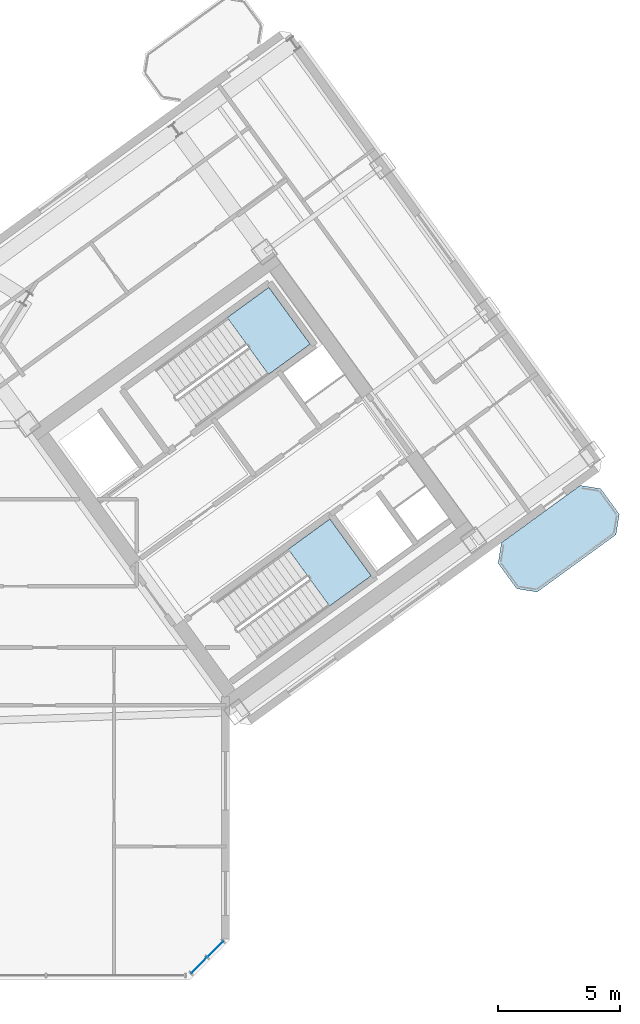
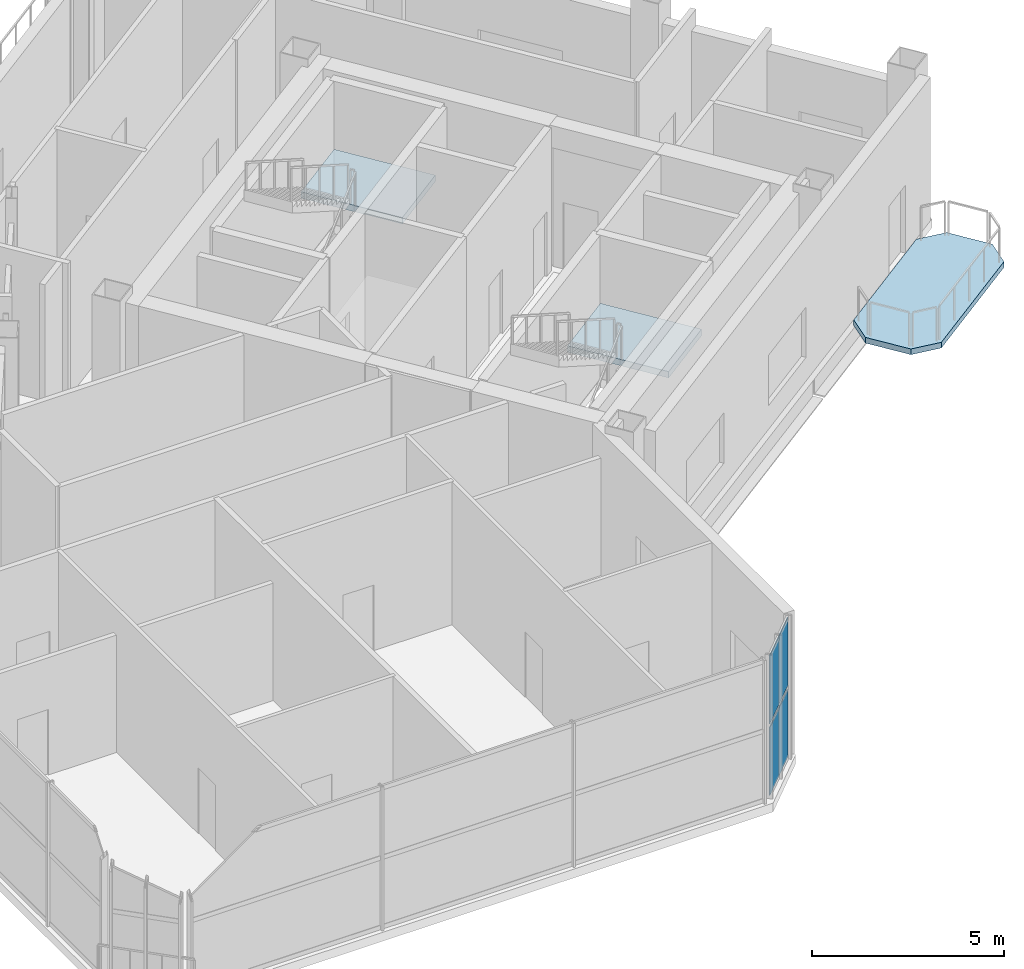
# One storey, part 11 of 21: 4 plates, 3 slabs, 3 elements without a shape of their own.
"""IFC4 building model written with IfcOpenShell, lengths in metres."""

from ifc_helpers import new_model, si_unit, direction, frame, origin, origin_2d, place, context, subcontext, project, spatial, polyline, rectangle, outline, extrude, source, transform, mapped, material, layer, layer_set, type_object, element, aggregate, save


model = new_model("IFC4")

# Units and contexts
model_context = context("Model", 3, precision=1e-05, world=origin(), true_north=direction((0.0, 1.0)))
body_context = subcontext(model_context, "Body", "Model", "MODEL_VIEW")
ifc_project = project(units=[si_unit("LENGTHUNIT", "METRE"), si_unit("AREAUNIT", "SQUARE_METRE"), si_unit("VOLUMEUNIT", "CUBIC_METRE"), si_unit("PLANEANGLEUNIT", "RADIAN"), si_unit("MASSUNIT", "GRAM", prefix="KILO")], contexts=[model_context])

# Site, building, storey
site_placement = place(None, origin())
site = spatial("IfcSite", under=ifc_project, at=site_placement, CompositionType="ELEMENT")
building_placement = place(site_placement, origin())
building = spatial("IfcBuilding", under=site, at=building_placement, Name="Tlacorven Tower", CompositionType="ELEMENT")
storey_placement = place(building_placement, frame((0.0, 0.0, 179.39990234375)))
storey = spatial("IfcBuildingStorey", under=building, at=storey_placement, Name="L45", CompositionType="ELEMENT", Elevation=179.39990234375)

# Slab
ifc_material_1 = material(Name="Precast concrete C45/55", Category="concrete")
ifc_layer_1 = layer(ifc_material_1, 0.179931640625)
ifc_layer_set_1 = layer_set([ifc_layer_1], Name="Precast concrete C45/55")
slab_type_1 = type_object("IfcSlabType", Name="SL-BAL-180", PredefinedType="USERDEFINED", material=ifc_layer_set_1)
slab_1_placement = place(storey_placement, frame((0.0, 0.0, -0.179931640625)))
element("IfcSlab", 1, at=slab_1_placement, inside=storey, type_object=slab_type_1, Name="L45 East Wing Balcony Ribbon OUT", ObjectType="BALCONY SLAB", PredefinedType="USERDEFINED", context=body_context, shape_type="SweptSolid", body=[
    extrude(outline(polyline([(65.025634765625, 17.69482421875), (68.26171875, 20.046142578125), (68.394287109375, 20.884033203125), (67.633056640625, 21.931884765625), (66.795166015625, 22.064453125), (63.55908203125, 19.71337890625), (63.42626953125, 18.875244140625), (64.1875, 17.82763671875), (65.025634765625, 17.69482421875)])), origin(), (0.0, 0.0, 1.0), 0.179931640625),
])

# Stair, slab
ifc_material_2 = material(Name="Concrete C40/50", Category="concrete")
stair_type = type_object("IfcStairType", Name="ST-CORE-DLG", PredefinedType="HALF_TURN_STAIR", material=ifc_material_2)
stair_1_placement = place(storey_placement, origin())
stair_1 = element("IfcStair", 2, at=stair_1_placement, inside=storey, type_object=stair_type, Name="L45 Protected Exit Stair East 1", PredefinedType="HALF_TURN_STAIR")
ifc_layer_2 = layer(ifc_material_2, 0.199951171875)
ifc_layer_set_2 = layer_set([ifc_layer_2], Name="Concrete C40/50")
slab_type_2 = type_object("IfcSlabType", Name="SL-LND-200", PredefinedType="LANDING", material=ifc_layer_set_2)
slab_2_placement = place(storey_placement, frame((0.0, 0.0, 2.2001953125)))
slab_2 = element("IfcSlab", 3, at=slab_2_placement, type_object=slab_type_2, Name="ST-E1 landing 1", PredefinedType="LANDING", context=body_context, shape_type="SweptSolid", body=[
    extrude(outline(polyline([(54.00390625, 26.621337890625), (55.7109375, 27.861572265625), (54.01806640625, 30.19140625), (52.31103515625, 28.951171875), (54.00390625, 26.621337890625)])), origin(), (0.0, 0.0, 1.0), 0.199951171875),
])
aggregate(stair_1, [slab_2])

stair_2_placement = place(storey_placement, origin())
stair_2 = element("IfcStair", 4, at=stair_2_placement, inside=storey, type_object=stair_type, Name="L45 Protected Exit Stair East 2", PredefinedType="HALF_TURN_STAIR")
slab_3_placement = place(storey_placement, frame((0.0, 0.0, 2.2001953125)))
slab_3 = element("IfcSlab", 5, at=slab_3_placement, type_object=slab_type_2, Name="ST-E2 landing 1", PredefinedType="LANDING", context=body_context, shape_type="SweptSolid", body=[
    extrude(outline(polyline([(56.5078125, 17.1181640625), (58.21484375, 18.3583984375), (56.52197265625, 20.6884765625), (54.81494140625, 19.4482421875), (56.5078125, 17.1181640625)])), origin(), (0.0, 0.0, 1.0), 0.199951171875),
])
aggregate(stair_2, [slab_3])

# Curtain wall, plates
ifc_material_3 = material(Name="Dark solar low-E double glazing in aluminium frame", Category="aluminium")
curtain_wall_type = type_object("IfcCurtainWallType", Name="CW-TWR-MID", PredefinedType="USERDEFINED", material=ifc_material_3)
curtain_wall_placement = place(storey_placement, origin())
curtain_wall = element("IfcCurtainWall", 6, at=curtain_wall_placement, inside=storey, type_object=curtain_wall_type, Name="L45 CW-TWR-MID Curtain Wall 208", ObjectType="UNITISED CURTAIN WALL", PredefinedType="USERDEFINED")
ifc_material_4 = material(Name="High-wind dark solar tempered low-E glazing", Category="glass")
ifc_layer_3 = layer(ifc_material_4, 0.028076171875)
ifc_layer_set_3 = layer_set([ifc_layer_3], Name="High-wind dark solar tempered low-E glazing")
plate_type = type_object("IfcPlateType", Name="CWP-03", PredefinedType="CURTAIN_PANEL", material=ifc_layer_set_3)
shared_shape = source(origin(), body_context, "Body", "SweptSolid", [
    extrude(rectangle(XDim=0.885498046875, YDim=0.028076171875, at=origin_2d()), origin(), (0.0, 0.0, 1.0), 2.153076171875),
])
plate_1_placement = place(storey_placement, frame((51.816650390625, 3.04296875, 0.06103515625), z_axis=(0.0, 0.0, 1.0), x_axis=(-0.707106781187, -0.707106781187, 0.0)))
plate_1 = element("IfcPlate", 7, at=plate_1_placement, type_object=plate_type, Name="CW-L45-208 Glazing Panel 1", PredefinedType="CURTAIN_PANEL", context=body_context, shape_type="MappedRepresentation", body=[
    mapped(shared_shape, transform((0.0, 0.0, 0.0), scale=1.0)),
])
plate_2_placement = place(storey_placement, frame((51.816650390625, 3.04296875, 2.3359375), z_axis=(0.0, 0.0, 1.0), x_axis=(-0.707106781187, -0.707106781187, 0.0)))
plate_2 = element("IfcPlate", 8, at=plate_2_placement, type_object=plate_type, Name="CW-L45-208 Glazing Panel 2", PredefinedType="CURTAIN_PANEL", context=body_context, shape_type="MappedRepresentation", body=[
    mapped(shared_shape, transform((0.0, 0.0, 0.0), scale=1.0)),
])
plate_3_placement = place(storey_placement, frame((51.1572265625, 2.38330078125, 0.06103515625), z_axis=(0.0, 0.0, 1.0), x_axis=(-0.707106781187, -0.707106781187, 0.0)))
plate_3 = element("IfcPlate", 9, at=plate_3_placement, type_object=plate_type, Name="CW-L45-208 Glazing Panel 3", PredefinedType="CURTAIN_PANEL", context=body_context, shape_type="MappedRepresentation", body=[
    mapped(shared_shape, transform((0.0, 0.0, 0.0), scale=1.0)),
])
plate_4_placement = place(storey_placement, frame((51.1572265625, 2.38330078125, 2.3359375), z_axis=(0.0, 0.0, 1.0), x_axis=(-0.707106781187, -0.707106781187, 0.0)))
plate_4 = element("IfcPlate", 10, at=plate_4_placement, type_object=plate_type, Name="CW-L45-208 Glazing Panel 4", PredefinedType="CURTAIN_PANEL", context=body_context, shape_type="MappedRepresentation", body=[
    mapped(shared_shape, transform((0.0, 0.0, 0.0), scale=1.0)),
])
aggregate(curtain_wall, [plate_1, plate_2, plate_3, plate_4])

save(model, "model.ifc")
